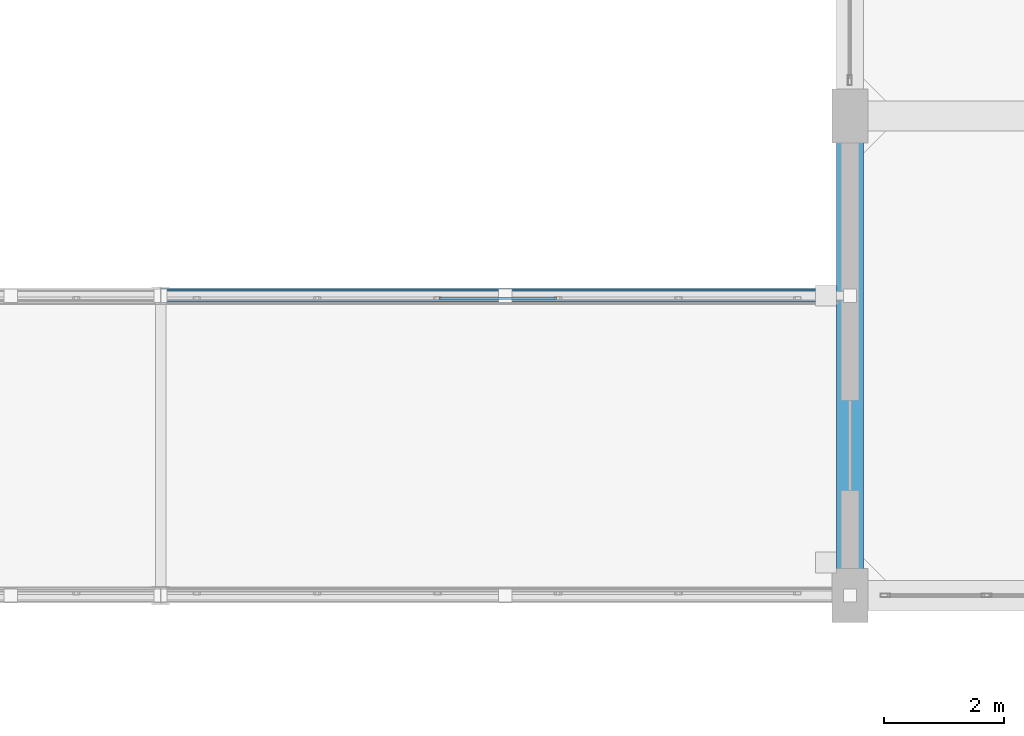
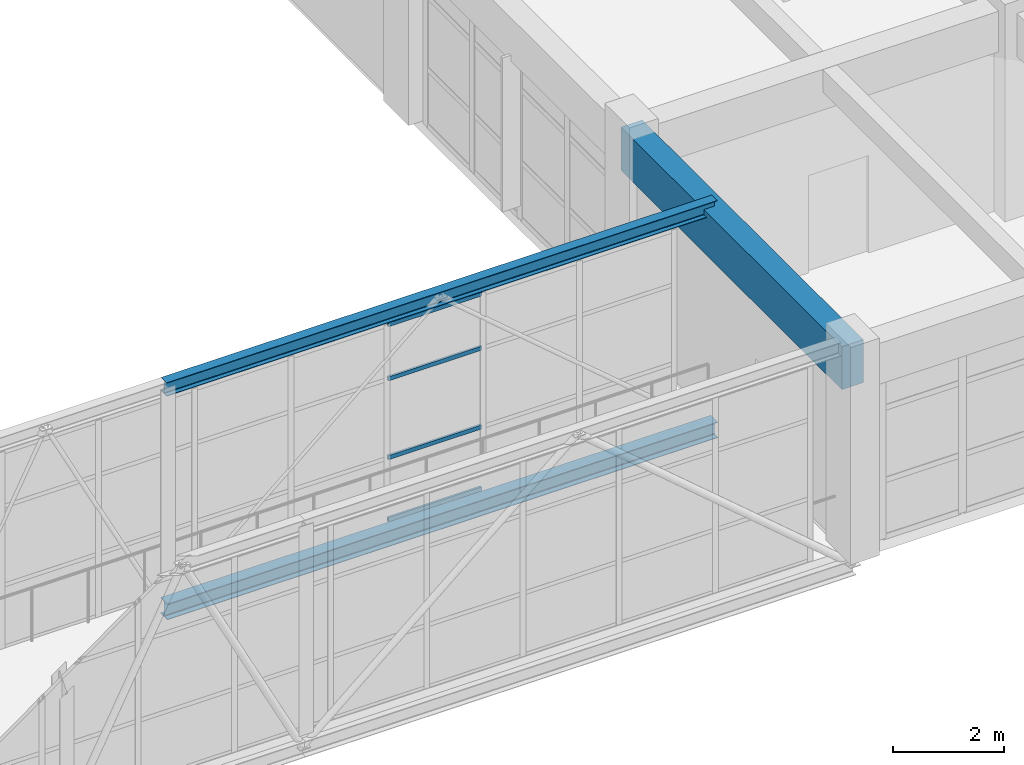
# One storey, part 104 of 248: 6 members, 1 beam, 1 element without a shape of its own.
"""IFC4 building model written with IfcOpenShell, lengths in metres."""

from ifc_helpers import new_model, si_unit, direction, frame, origin, origin_2d, place, context, subcontext, project, spatial, rectangle, hollow_rectangle, i_section, extrude, material, layer, layer_set, material_profile, profile_set, type_object, element, aggregate, save


model = new_model("IFC4")

# Units and contexts
model_context = context("Model", 3, precision=1e-05, world=origin(), true_north=direction((0.0, 1.0)))
body_context = subcontext(model_context, "Body", "Model", "MODEL_VIEW")
ifc_project = project(units=[si_unit("LENGTHUNIT", "METRE"), si_unit("AREAUNIT", "SQUARE_METRE"), si_unit("VOLUMEUNIT", "CUBIC_METRE"), si_unit("PLANEANGLEUNIT", "RADIAN"), si_unit("MASSUNIT", "GRAM", prefix="KILO")], contexts=[model_context])

# Site, building, storey
site_placement = place(None, origin())
site = spatial("IfcSite", under=ifc_project, at=site_placement, CompositionType="ELEMENT")
building_placement = place(site_placement, origin())
building = spatial("IfcBuilding", under=site, at=building_placement, Name="Canggui Botanical Conservatory", CompositionType="ELEMENT")
storey_placement = place(building_placement, frame((0.0, 0.0, 5.39990234375)))
storey = spatial("IfcBuildingStorey", under=building, at=storey_placement, Name="L02", CompositionType="ELEMENT", Elevation=5.39990234375)

# Beam
ifc_material_1 = material(Name="Concrete C35", Category="concrete")
ifc_material_profile_1 = material_profile(ifc_material_1, rectangle(XDim=0.449951171875, YDim=0.949951171875, at=origin_2d()), Name="RB 450x950")
ifc_profile_set_1 = profile_set([ifc_material_profile_1], Name="Concrete C35")
beam_type = type_object("IfcBeamType", Name="BM-KL04", PredefinedType="BEAM", material=ifc_profile_set_1)
beam_placement = place(storey_placement, frame((130.0, 26.0, 4.045166015625), z_axis=(0.0, 1.0, 0.0), x_axis=(-1.0, 0.0, 0.0)))
element("IfcBeam", 1, at=beam_placement, inside=storey, type_object=beam_type, Name="Frame Girder L02 X130-1", PredefinedType="BEAM", context=body_context, shape_type="SweptSolid", body=[
    extrude(rectangle(XDim=0.449951171875, YDim=0.949951171875, at=origin_2d()), origin(), (0.0, 0.0, 1.0), 8.0),
])

# Curtain wall, members
ifc_material_2 = material(Name="Thermally Broken Aluminium", Category="aluminium")
ifc_layer = layer(ifc_material_2, 0.1201171875, Name="Thermally Broken Aluminium", Category="aluminium")
ifc_layer_set = layer_set([ifc_layer], Name="Thermally Broken Aluminium")
curtain_wall_type = type_object("IfcCurtainWallType", Name="CW-STICK-B", PredefinedType="USERDEFINED", material=ifc_layer_set)
curtain_wall_placement = place(storey_placement, origin())
curtain_wall = element("IfcCurtainWall", 2, at=curtain_wall_placement, inside=storey, type_object=curtain_wall_type, Name="Facade Curtain Wall CW-SB-01-2", ObjectType="STICK GLAZED WALL", PredefinedType="USERDEFINED")
ifc_material_profile_2 = material_profile(ifc_material_2, hollow_rectangle(XDim=0.044921875, YDim=0.090087890625, WallThickness=0.0029296875, at=origin_2d()), Name="CWT 45x90x3")
ifc_profile_set_2 = profile_set([ifc_material_profile_2], Name="Thermally Broken Aluminium")
member_type_1 = type_object("IfcMemberType", Name="CWT-05", PredefinedType="USERDEFINED", material=ifc_profile_set_2)
member_1_placement = place(storey_placement, frame((123.1484375, 30.9599609375, 0.022705078125), z_axis=(1.0, 0.0, 0.0), x_axis=(0.0, 1.0, 0.0)))
member_1 = element("IfcMember", 3, at=member_1_placement, type_object=member_type_1, Name="CW-05 transom 29.1", ObjectType="TRANSOM", PredefinedType="USERDEFINED", context=body_context, shape_type="SweptSolid", body=[
    extrude(hollow_rectangle(XDim=0.044921875, YDim=0.090087890625, WallThickness=0.0029296875, at=origin_2d()), origin(), (0.0, 0.0, 1.0), 1.95458984375),
])
member_2_placement = place(storey_placement, frame((123.1484375, 30.9599609375, 1.39208984375), z_axis=(1.0, 0.0, 0.0), x_axis=(0.0, 1.0, 0.0)))
member_2 = element("IfcMember", 4, at=member_2_placement, type_object=member_type_1, Name="CW-05 transom 29.2", ObjectType="TRANSOM", PredefinedType="USERDEFINED", context=body_context, shape_type="SweptSolid", body=[
    extrude(hollow_rectangle(XDim=0.044921875, YDim=0.090087890625, WallThickness=0.0029296875, at=origin_2d()), origin(), (0.0, 0.0, 1.0), 1.95458984375),
])
member_3_placement = place(storey_placement, frame((123.1484375, 30.9599609375, 3.132080078125), z_axis=(1.0, 0.0, 0.0), x_axis=(0.0, 1.0, 0.0)))
member_3 = element("IfcMember", 5, at=member_3_placement, type_object=member_type_1, Name="CW-05 transom 29.3", ObjectType="TRANSOM", PredefinedType="USERDEFINED", context=body_context, shape_type="SweptSolid", body=[
    extrude(hollow_rectangle(XDim=0.044921875, YDim=0.090087890625, WallThickness=0.0029296875, at=origin_2d()), origin(), (0.0, 0.0, 1.0), 1.95458984375),
])
member_4_placement = place(storey_placement, frame((123.1484375, 30.9599609375, 4.32763671875), z_axis=(1.0, 0.0, 0.0), x_axis=(0.0, 1.0, 0.0)))
member_4 = element("IfcMember", 6, at=member_4_placement, type_object=member_type_1, Name="CW-05 transom 29.4", ObjectType="TRANSOM", PredefinedType="USERDEFINED", context=body_context, shape_type="SweptSolid", body=[
    extrude(hollow_rectangle(XDim=0.044921875, YDim=0.090087890625, WallThickness=0.0029296875, at=origin_2d()), origin(), (0.0, 0.0, 1.0), 1.95458984375),
])
aggregate(curtain_wall, [member_1, member_2, member_3, member_4])

# Members
ifc_material_3 = material(Name="Steel Q355B", Category="steel")
ifc_material_profile_3 = material_profile(ifc_material_3, i_section(OverallWidth=0.25, OverallDepth=0.35009765625, WebThickness=0.009033203125, FlangeThickness=0.013916015625, FilletRadius=0.02001953125, at=origin_2d()), Name="HM 350x250x9x14")
ifc_profile_set_3 = profile_set([ifc_material_profile_3], Name="Steel Q355B")
member_type_2 = type_object("IfcMemberType", Name="MEM-TC03", PredefinedType="CHORD", material=ifc_profile_set_3)
member_5_placement = place(storey_placement, frame((118.5, 31.0, -0.349853515625), z_axis=(1.0, 0.0, 0.0), x_axis=(0.0, 1.0, 0.0)))
element("IfcMember", 7, at=member_5_placement, inside=storey, type_object=member_type_2, Name="SB-01 Deck Truss Bottom Chord 2.8", PredefinedType="CHORD", context=body_context, shape_type="SweptSolid", body=[
    extrude(i_section(OverallWidth=0.25, OverallDepth=0.35009765625, WebThickness=0.009033203125, FlangeThickness=0.013916015625, FilletRadius=0.02001953125, at=origin_2d()), origin(), (0.0, 0.0, 1.0), 11.5),
])
ifc_material_profile_4 = material_profile(ifc_material_3, i_section(OverallWidth=0.199951171875, OverallDepth=0.300048828125, WebThickness=0.008056640625, FlangeThickness=0.011962890625, FilletRadius=0.01806640625, at=origin_2d()), Name="HM 300x200x8x12")
ifc_profile_set_4 = profile_set([ifc_material_profile_4], Name="Steel Q355B")
member_type_3 = type_object("IfcMemberType", Name="MEM-TC04", PredefinedType="CHORD", material=ifc_profile_set_4)
member_6_placement = place(storey_placement, frame((118.5, 31.0, 4.550048828125), z_axis=(1.0, 0.0, 0.0), x_axis=(0.0, 1.0, 0.0)))
element("IfcMember", 8, at=member_6_placement, inside=storey, type_object=member_type_3, Name="SB-01 Roof Truss Top Chord 2.8", PredefinedType="CHORD", context=body_context, shape_type="SweptSolid", body=[
    extrude(i_section(OverallWidth=0.199951171875, OverallDepth=0.300048828125, WebThickness=0.008056640625, FlangeThickness=0.011962890625, FilletRadius=0.01806640625, at=origin_2d()), origin(), (0.0, 0.0, 1.0), 11.5),
])

save(model, "model.ifc")
